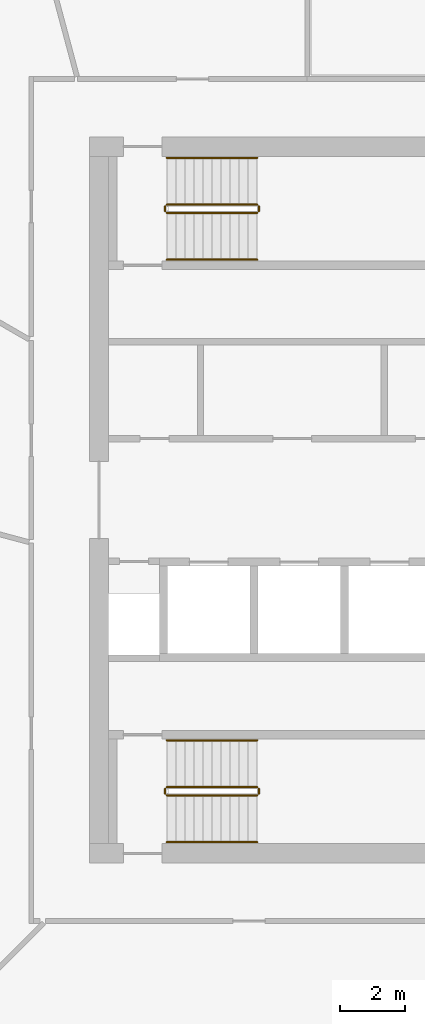
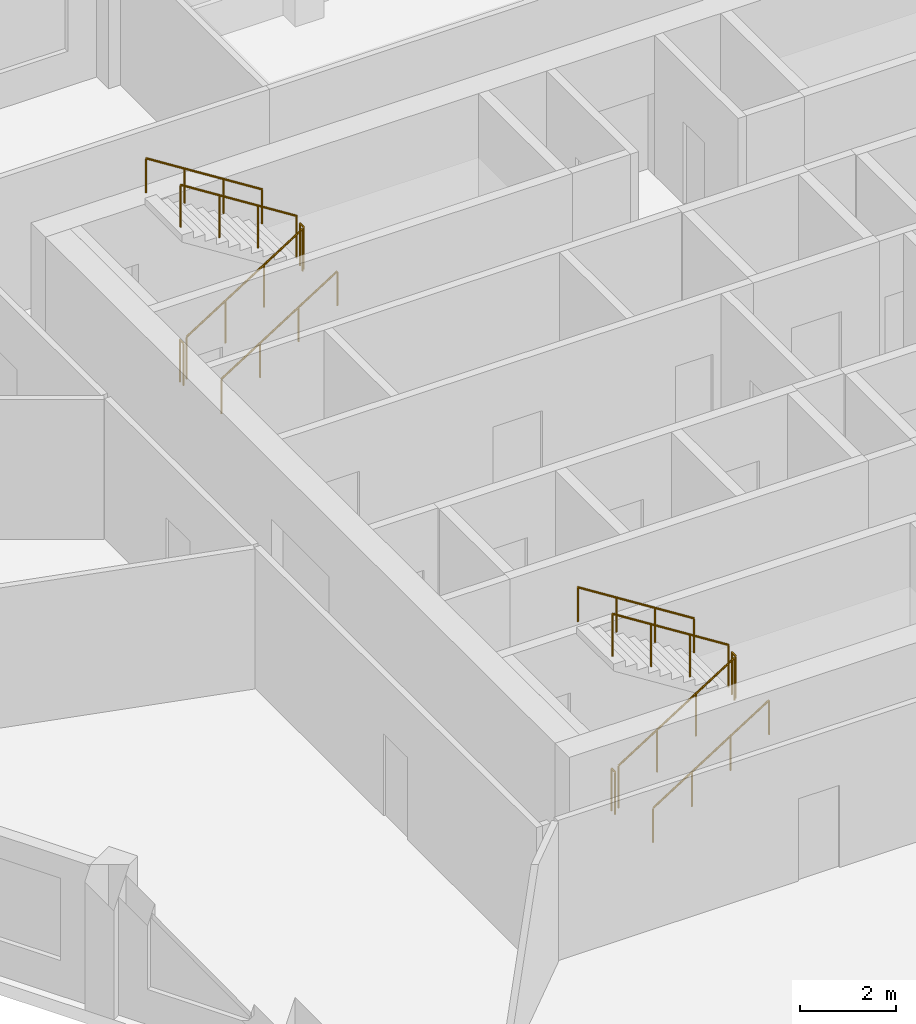
# One storey, part 8 of 10: 12 railings.
"""IFC4 building model written with IfcOpenShell, lengths in metres."""

from ifc_helpers import new_model, si_unit, direction, frame, origin, origin_2d, place, context, subcontext, project, spatial, circle, extrude, material, type_object, element, save


model = new_model("IFC4")

# Units and contexts
model_context = context("Model", 3, precision=1e-05, world=origin(), true_north=direction((0.0, 1.0)))
body_context = subcontext(model_context, "Body", "Model", "MODEL_VIEW")
ifc_project = project(units=[si_unit("LENGTHUNIT", "METRE"), si_unit("AREAUNIT", "SQUARE_METRE"), si_unit("VOLUMEUNIT", "CUBIC_METRE"), si_unit("PLANEANGLEUNIT", "RADIAN"), si_unit("MASSUNIT", "GRAM", prefix="KILO")], contexts=[model_context])

# Site, building, storey
site_placement = place(None, origin())
site = spatial("IfcSite", under=ifc_project, at=site_placement, CompositionType="ELEMENT")
building_placement = place(site_placement, origin())
building = spatial("IfcBuilding", under=site, at=building_placement, Name="Dhurran Vertical Campus", CompositionType="ELEMENT")
storey_placement = place(building_placement, frame((0.0, 0.0, 250.800048828125)))
storey = spatial("IfcBuildingStorey", under=building, at=storey_placement, Name="L62", CompositionType="ELEMENT", Elevation=250.800048828125)

# Railings
ifc_material_1 = material(Name="Stainless steel balustrade", Category="steel")
railing_type_1 = type_object("IfcRailingType", Name="co-RL-GUARD-1100", PredefinedType="GUARDRAIL", material=ifc_material_1)
railing_1_placement = place(storey_placement, frame((-11.10009765625, 8.89990234375, 0.17724609375)))
element("IfcRailing", 1, at=railing_1_placement, inside=storey, type_object=railing_type_1, Name="L62 ST1 stair guard 1", PredefinedType="GUARDRAIL", context=body_context, shape_type="SweptSolid", body=[
    extrude(circle(Radius=0.02392578125, at=origin_2d()), frame((0.0, 0.0, 1.076171875), z_axis=(0.844908973607, 0.0, 0.534910110503), x_axis=(0.0, 1.0, 0.0)), (0.0, 0.0, 1.0), 3.31396484375),
    extrude(circle(Radius=0.02099609375, at=origin_2d()), origin(), (0.0, 0.0, 1.0), 1.052001953125),
    extrude(circle(Radius=0.02099609375, at=origin_2d()), frame((0.933349609375, 0.0, 0.5908203125)), (0.0, 0.0, 1.0), 1.052001953125),
    extrude(circle(Radius=0.02099609375, at=origin_2d()), frame((1.86669921875, 0.0, 1.181884765625)), (0.0, 0.0, 1.0), 1.052001953125),
    extrude(circle(Radius=0.02099609375, at=origin_2d()), frame((2.800048828125, 0.0, 1.772705078125)), (0.0, 0.0, 1.0), 1.052001953125),
])
railing_2_placement = place(storey_placement, frame((-8.25, 8.949951171875, 1.949951171875)))
element("IfcRailing", 2, at=railing_2_placement, inside=storey, type_object=railing_type_1, Name="L62 ST1 stair guard 2", PredefinedType="GUARDRAIL", context=body_context, shape_type="SweptSolid", body=[
    extrude(circle(Radius=0.02392578125, at=origin_2d()), frame((0.0, 0.0, 1.076171875), z_axis=(0.0, 1.0, 0.0), x_axis=(-1.0, 0.0, 0.0)), (0.0, 0.0, 1.0), 0.150146484375),
    extrude(circle(Radius=0.02099609375, at=origin_2d()), origin(), (0.0, 0.0, 1.0), 1.052001953125),
    extrude(circle(Radius=0.02099609375, at=origin_2d()), frame((0.0, 0.150146484375, 0.0)), (0.0, 0.0, 1.0), 1.052001953125),
])
railing_3_placement = place(storey_placement, frame((-8.300048828125, 9.14990234375, 2.127197265625)))
element("IfcRailing", 3, at=railing_3_placement, inside=storey, type_object=railing_type_1, Name="L62 ST1 stair guard 3", PredefinedType="GUARDRAIL", context=body_context, shape_type="SweptSolid", body=[
    extrude(circle(Radius=0.02392578125, at=origin_2d()), frame((0.0, 0.0, 1.076171875), z_axis=(-0.844908973607, 0.0, 0.534910110503), x_axis=(0.0, -1.0, 0.0)), (0.0, 0.0, 1.0), 3.31396484375),
    extrude(circle(Radius=0.02099609375, at=origin_2d()), origin(), (0.0, 0.0, 1.0), 1.052001953125),
    extrude(circle(Radius=0.02099609375, at=origin_2d()), frame((-0.933349609375, 0.0, 0.5908203125)), (0.0, 0.0, 1.0), 1.052001953125),
    extrude(circle(Radius=0.02099609375, at=origin_2d()), frame((-1.86669921875, 0.0, 1.181884765625)), (0.0, 0.0, 1.0), 1.052001953125),
    extrude(circle(Radius=0.02099609375, at=origin_2d()), frame((-2.800048828125, 0.0, 1.772705078125)), (0.0, 0.0, 1.0), 1.052001953125),
])
railing_4_placement = place(storey_placement, frame((-11.14990234375, 8.949951171875, 0.0)))
element("IfcRailing", 4, at=railing_4_placement, inside=storey, type_object=railing_type_1, Name="L62 ST1 stair guard 4", PredefinedType="GUARDRAIL", context=body_context, shape_type="SweptSolid", body=[
    extrude(circle(Radius=0.02392578125, at=origin_2d()), frame((0.0, 0.0, 1.076171875), z_axis=(0.0, 1.0, 0.0), x_axis=(-1.0, 0.0, 0.0)), (0.0, 0.0, 1.0), 0.150146484375),
    extrude(circle(Radius=0.02099609375, at=origin_2d()), origin(), (0.0, 0.0, 1.0), 1.052001953125),
    extrude(circle(Radius=0.02099609375, at=origin_2d()), frame((0.0, 0.150146484375, 0.0)), (0.0, 0.0, 1.0), 1.052001953125),
])
railing_5_placement = place(storey_placement, frame((-11.10009765625, -9.14990234375, 0.17724609375)))
element("IfcRailing", 5, at=railing_5_placement, inside=storey, type_object=railing_type_1, Name="L62 ST3 stair guard 1", PredefinedType="GUARDRAIL", context=body_context, shape_type="SweptSolid", body=[
    extrude(circle(Radius=0.02392578125, at=origin_2d()), frame((0.0, 0.0, 1.076171875), z_axis=(0.844908973607, 0.0, 0.534910110503), x_axis=(0.0, 1.0, 0.0)), (0.0, 0.0, 1.0), 3.31396484375),
    extrude(circle(Radius=0.02099609375, at=origin_2d()), origin(), (0.0, 0.0, 1.0), 1.052001953125),
    extrude(circle(Radius=0.02099609375, at=origin_2d()), frame((0.933349609375, 0.0, 0.5908203125)), (0.0, 0.0, 1.0), 1.052001953125),
    extrude(circle(Radius=0.02099609375, at=origin_2d()), frame((1.86669921875, 0.0, 1.181884765625)), (0.0, 0.0, 1.0), 1.052001953125),
    extrude(circle(Radius=0.02099609375, at=origin_2d()), frame((2.800048828125, 0.0, 1.772705078125)), (0.0, 0.0, 1.0), 1.052001953125),
])
railing_6_placement = place(storey_placement, frame((-8.25, -9.10009765625, 1.949951171875)))
element("IfcRailing", 6, at=railing_6_placement, inside=storey, type_object=railing_type_1, Name="L62 ST3 stair guard 2", PredefinedType="GUARDRAIL", context=body_context, shape_type="SweptSolid", body=[
    extrude(circle(Radius=0.02392578125, at=origin_2d()), frame((0.0, 0.0, 1.076171875), z_axis=(0.0, 1.0, 0.0), x_axis=(-1.0, 0.0, 0.0)), (0.0, 0.0, 1.0), 0.150146484375),
    extrude(circle(Radius=0.02099609375, at=origin_2d()), origin(), (0.0, 0.0, 1.0), 1.052001953125),
    extrude(circle(Radius=0.02099609375, at=origin_2d()), frame((0.0, 0.150146484375, 0.0)), (0.0, 0.0, 1.0), 1.052001953125),
])
railing_7_placement = place(storey_placement, frame((-8.300048828125, -8.89990234375, 2.127197265625)))
element("IfcRailing", 7, at=railing_7_placement, inside=storey, type_object=railing_type_1, Name="L62 ST3 stair guard 3", PredefinedType="GUARDRAIL", context=body_context, shape_type="SweptSolid", body=[
    extrude(circle(Radius=0.02392578125, at=origin_2d()), frame((0.0, 0.0, 1.076171875), z_axis=(-0.844908973607, 0.0, 0.534910110503), x_axis=(0.0, -1.0, 0.0)), (0.0, 0.0, 1.0), 3.31396484375),
    extrude(circle(Radius=0.02099609375, at=origin_2d()), origin(), (0.0, 0.0, 1.0), 1.052001953125),
    extrude(circle(Radius=0.02099609375, at=origin_2d()), frame((-0.933349609375, 0.0, 0.5908203125)), (0.0, 0.0, 1.0), 1.052001953125),
    extrude(circle(Radius=0.02099609375, at=origin_2d()), frame((-1.86669921875, 0.0, 1.181884765625)), (0.0, 0.0, 1.0), 1.052001953125),
    extrude(circle(Radius=0.02099609375, at=origin_2d()), frame((-2.800048828125, 0.0, 1.772705078125)), (0.0, 0.0, 1.0), 1.052001953125),
])
railing_8_placement = place(storey_placement, frame((-11.14990234375, -9.10009765625, 0.0)))
element("IfcRailing", 8, at=railing_8_placement, inside=storey, type_object=railing_type_1, Name="L62 ST3 stair guard 4", PredefinedType="GUARDRAIL", context=body_context, shape_type="SweptSolid", body=[
    extrude(circle(Radius=0.02392578125, at=origin_2d()), frame((0.0, 0.0, 1.076171875), z_axis=(0.0, 1.0, 0.0), x_axis=(-1.0, 0.0, 0.0)), (0.0, 0.0, 1.0), 0.150146484375),
    extrude(circle(Radius=0.02099609375, at=origin_2d()), origin(), (0.0, 0.0, 1.0), 1.052001953125),
    extrude(circle(Radius=0.02099609375, at=origin_2d()), frame((0.0, 0.150146484375, 0.0)), (0.0, 0.0, 1.0), 1.052001953125),
])
ifc_material_2 = material(Name="Stainless steel handrail", Category="steel")
railing_type_2 = type_object("IfcRailingType", Name="co-RL-HANDRAIL-900", PredefinedType="HANDRAIL", material=ifc_material_2)
railing_9_placement = place(storey_placement, frame((-11.10009765625, 7.449951171875, 0.17724609375)))
element("IfcRailing", 9, at=railing_9_placement, inside=storey, type_object=railing_type_2, Name="L62 ST1 stair handrail 1", PredefinedType="HANDRAIL", context=body_context, shape_type="SweptSolid", body=[
    extrude(circle(Radius=0.02392578125, at=origin_2d()), frame((0.0, 0.0, 0.8759765625), z_axis=(0.844908973607, 0.0, 0.534910110503), x_axis=(0.0, 1.0, 0.0)), (0.0, 0.0, 1.0), 3.31396484375),
    extrude(circle(Radius=0.02099609375, at=origin_2d()), origin(), (0.0, 0.0, 1.0), 0.851806640625),
    extrude(circle(Radius=0.02099609375, at=origin_2d()), frame((0.933349609375, 0.0, 0.5908203125)), (0.0, 0.0, 1.0), 0.851806640625),
    extrude(circle(Radius=0.02099609375, at=origin_2d()), frame((1.86669921875, 0.0, 1.181884765625)), (0.0, 0.0, 1.0), 0.851806640625),
    extrude(circle(Radius=0.02099609375, at=origin_2d()), frame((2.800048828125, 0.0, 1.772705078125)), (0.0, 0.0, 1.0), 0.851806640625),
])
railing_10_placement = place(storey_placement, frame((-8.300048828125, 10.60009765625, 2.127197265625)))
element("IfcRailing", 10, at=railing_10_placement, inside=storey, type_object=railing_type_2, Name="L62 ST1 stair handrail 2", PredefinedType="HANDRAIL", context=body_context, shape_type="SweptSolid", body=[
    extrude(circle(Radius=0.02392578125, at=origin_2d()), frame((0.0, 0.0, 0.8759765625), z_axis=(-0.844908973607, 0.0, 0.534910110503), x_axis=(0.0, -1.0, 0.0)), (0.0, 0.0, 1.0), 3.31396484375),
    extrude(circle(Radius=0.02099609375, at=origin_2d()), origin(), (0.0, 0.0, 1.0), 0.851806640625),
    extrude(circle(Radius=0.02099609375, at=origin_2d()), frame((-0.933349609375, 0.0, 0.5908203125)), (0.0, 0.0, 1.0), 0.851806640625),
    extrude(circle(Radius=0.02099609375, at=origin_2d()), frame((-1.86669921875, 0.0, 1.181884765625)), (0.0, 0.0, 1.0), 0.851806640625),
    extrude(circle(Radius=0.02099609375, at=origin_2d()), frame((-2.800048828125, 0.0, 1.772705078125)), (0.0, 0.0, 1.0), 0.851806640625),
])
railing_11_placement = place(storey_placement, frame((-11.10009765625, -10.60009765625, 0.17724609375)))
element("IfcRailing", 11, at=railing_11_placement, inside=storey, type_object=railing_type_2, Name="L62 ST3 stair handrail 1", PredefinedType="HANDRAIL", context=body_context, shape_type="SweptSolid", body=[
    extrude(circle(Radius=0.02392578125, at=origin_2d()), frame((0.0, 0.0, 0.8759765625), z_axis=(0.844908973607, 0.0, 0.534910110503), x_axis=(0.0, 1.0, 0.0)), (0.0, 0.0, 1.0), 3.31396484375),
    extrude(circle(Radius=0.02099609375, at=origin_2d()), origin(), (0.0, 0.0, 1.0), 0.851806640625),
    extrude(circle(Radius=0.02099609375, at=origin_2d()), frame((0.933349609375, 0.0, 0.5908203125)), (0.0, 0.0, 1.0), 0.851806640625),
    extrude(circle(Radius=0.02099609375, at=origin_2d()), frame((1.86669921875, 0.0, 1.181884765625)), (0.0, 0.0, 1.0), 0.851806640625),
    extrude(circle(Radius=0.02099609375, at=origin_2d()), frame((2.800048828125, 0.0, 1.772705078125)), (0.0, 0.0, 1.0), 0.851806640625),
])
railing_12_placement = place(storey_placement, frame((-8.300048828125, -7.449951171875, 2.127197265625)))
element("IfcRailing", 12, at=railing_12_placement, inside=storey, type_object=railing_type_2, Name="L62 ST3 stair handrail 2", PredefinedType="HANDRAIL", context=body_context, shape_type="SweptSolid", body=[
    extrude(circle(Radius=0.02392578125, at=origin_2d()), frame((0.0, 0.0, 0.8759765625), z_axis=(-0.844908973607, 0.0, 0.534910110503), x_axis=(0.0, -1.0, 0.0)), (0.0, 0.0, 1.0), 3.31396484375),
    extrude(circle(Radius=0.02099609375, at=origin_2d()), origin(), (0.0, 0.0, 1.0), 0.851806640625),
    extrude(circle(Radius=0.02099609375, at=origin_2d()), frame((-0.933349609375, 0.0, 0.5908203125)), (0.0, 0.0, 1.0), 0.851806640625),
    extrude(circle(Radius=0.02099609375, at=origin_2d()), frame((-1.86669921875, 0.0, 1.181884765625)), (0.0, 0.0, 1.0), 0.851806640625),
    extrude(circle(Radius=0.02099609375, at=origin_2d()), frame((-2.800048828125, 0.0, 1.772705078125)), (0.0, 0.0, 1.0), 0.851806640625),
])

save(model, "model.ifc")
